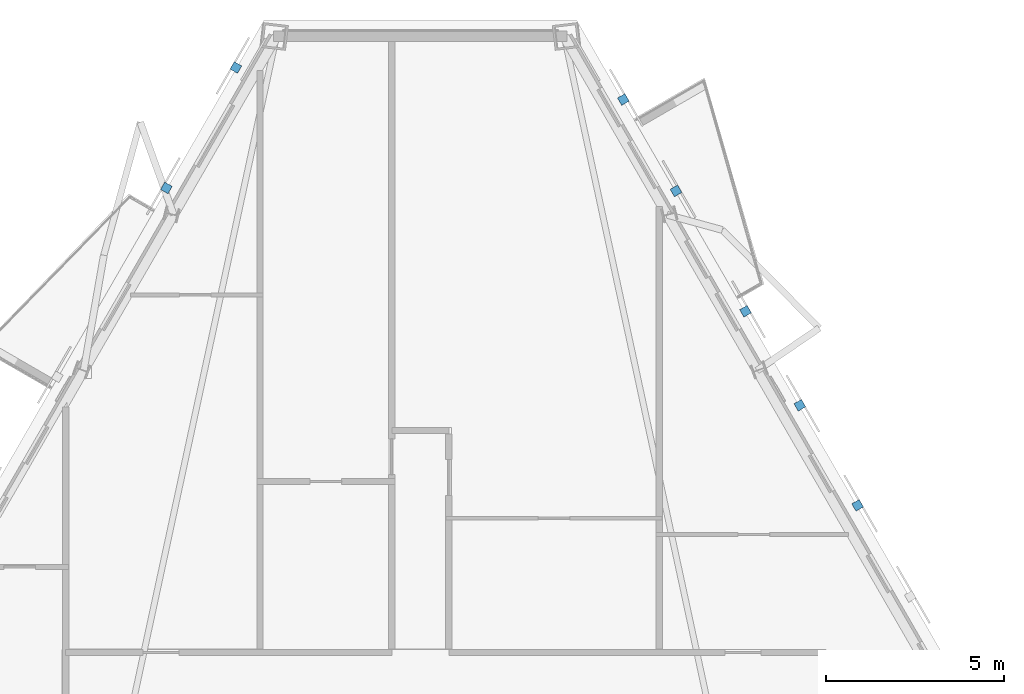
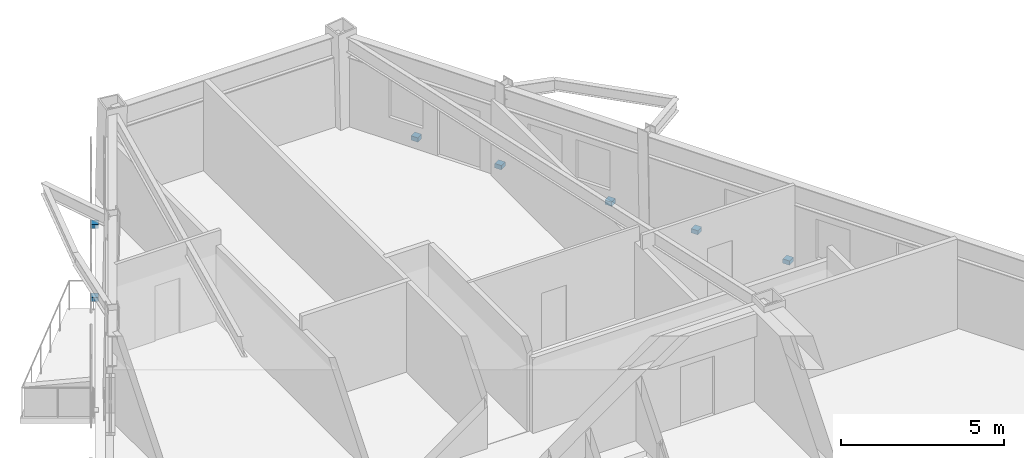
# One storey, part 6 of 9: 7 discrete accessories.
"""IFC4 building model written with IfcOpenShell, lengths in metres."""

from ifc_helpers import new_model, si_unit, direction, frame, origin, origin_2d, place, context, subcontext, project, spatial, rectangle, extrude, element, save


model = new_model("IFC4")

# Units and contexts
model_context = context("Model", 3, precision=1e-05, world=origin(), true_north=direction((0.0, 1.0)))
body_context = subcontext(model_context, "Body", "Model", "MODEL_VIEW")
ifc_project = project(units=[si_unit("LENGTHUNIT", "METRE"), si_unit("AREAUNIT", "SQUARE_METRE"), si_unit("VOLUMEUNIT", "CUBIC_METRE"), si_unit("PLANEANGLEUNIT", "RADIAN"), si_unit("MASSUNIT", "GRAM", prefix="KILO")], contexts=[model_context])

# Site, building, storey
site_placement = place(None, origin())
site = spatial("IfcSite", under=ifc_project, at=site_placement, CompositionType="ELEMENT")
building_placement = place(site_placement, origin())
building = spatial("IfcBuilding", under=site, at=building_placement, Name="Oramaril Tower", CompositionType="ELEMENT")
storey_placement = place(building_placement, frame((0.0, 0.0, 178.199951171875)))
storey = spatial("IfcBuildingStorey", under=building, at=storey_placement, Name="L47", CompositionType="ELEMENT", Elevation=178.199951171875)

# Discrete accessories
for number, where, z_axis, x_axis, name in (
    (1, (46.623046875, 35.544677734375, -0.14013671875), (0.0, 0.0, 1.0), (-0.5, 0.866025403784, 0.0), "L47 Solar Screen Slab Bracket"),
    (2, (44.673095703125, 38.922119140625, -0.14013671875), (0.0, 0.0, 1.0), (-0.5, 0.866025403784, 0.0), "L47 Solar Screen Slab Bracket"),
    (3, (43.193603515625, 41.485107421875, -0.14013671875), (0.0, 0.0, 1.0), (-0.5, 0.866025403784, 0.0), "L47 Solar Screen Slab Bracket"),
    (4, (49.767578125, 30.09814453125, -0.14013671875), (0.0, 0.0, 1.0), (-0.5, 0.866025403784, 0.0), "L47 Solar Screen Slab Bracket"),
    (5, (48.146484375, 32.906005859375, -0.14013671875), (0.0, 0.0, 1.0), (-0.5, 0.866025403784, 0.0), "L47 Solar Screen Slab Bracket"),
    (6, (32.32470703125, 42.3828125, -0.14013671875), (0.0, 0.0, 1.0), (-0.5, -0.866025403784, 0.0), "L47 Solar Screen Slab Bracket"),
    (7, (30.374755859375, 39.005126953125, -0.14013671875), (0.0, 0.0, 1.0), (-0.5, -0.866025403784, 0.0), "L47 Solar Screen Slab Bracket"),
):
    element("IfcDiscreteAccessory", number, at=place(storey_placement, frame(where, z_axis=z_axis, x_axis=x_axis)), inside=storey, Name=name, PredefinedType="BRACKET", context=body_context, shape_type="SweptSolid", body=[
        extrude(rectangle(XDim=0.239990234375, YDim=0.239990234375, at=origin_2d()), origin(), (0.0, 0.0, 1.0), 0.159912109375),
    ])

save(model, "model.ifc")
